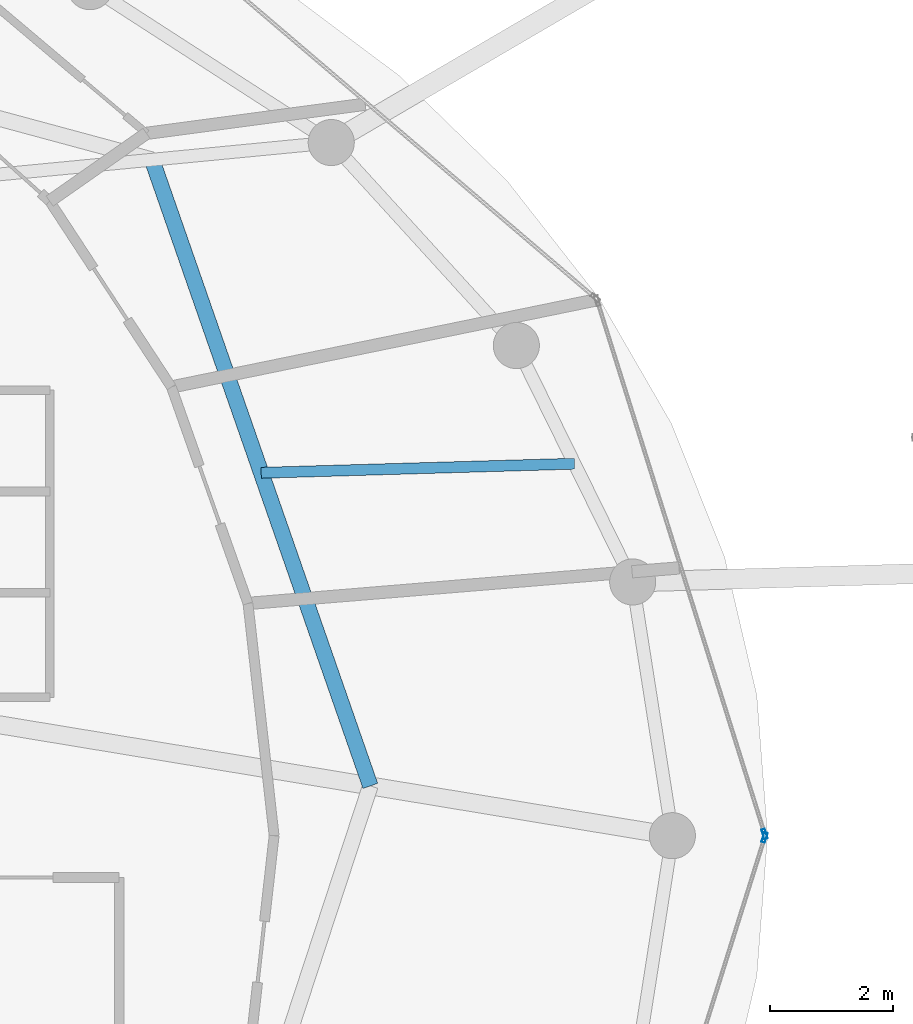
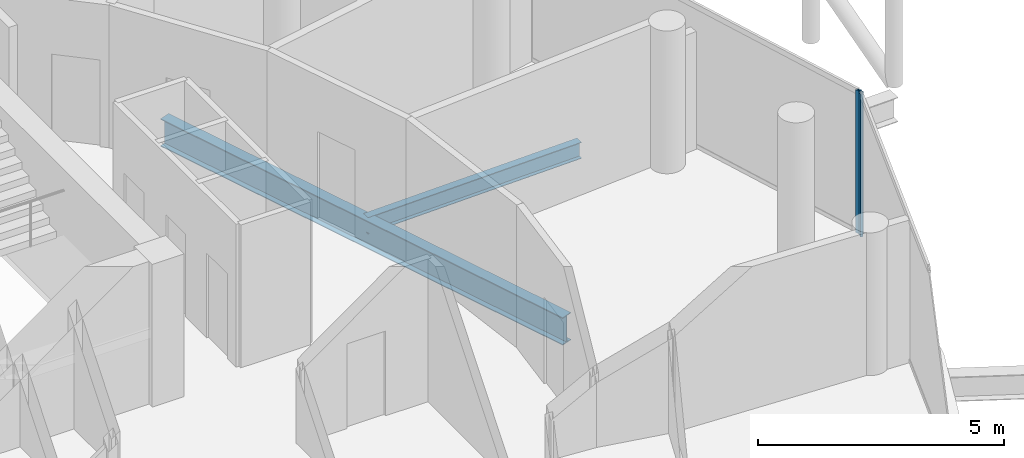
# One storey, part 12 of 24: 2 beams, 2 members, 2 elements without a shape of their own.
"""IFC4 building model written with IfcOpenShell, lengths in metres."""

from ifc_helpers import new_model, si_unit, direction, frame, origin, origin_2d, place, context, subcontext, project, spatial, hollow_rectangle, i_section, extrude, material, layer, layer_set, material_profile, profile_set, type_object, element, aggregate, save


model = new_model("IFC4")

# Units and contexts
model_context = context("Model", 3, precision=1e-05, world=origin(), true_north=direction((0.0, 1.0)))
body_context = subcontext(model_context, "Body", "Model", "MODEL_VIEW")
ifc_project = project(units=[si_unit("LENGTHUNIT", "METRE"), si_unit("AREAUNIT", "SQUARE_METRE"), si_unit("VOLUMEUNIT", "CUBIC_METRE"), si_unit("PLANEANGLEUNIT", "RADIAN"), si_unit("MASSUNIT", "GRAM", prefix="KILO")], contexts=[model_context])

# Site, building, storey
site_placement = place(None, origin())
site = spatial("IfcSite", under=ifc_project, at=site_placement, CompositionType="ELEMENT")
building_placement = place(site_placement, origin())
building = spatial("IfcBuilding", under=site, at=building_placement, Name="Nuhasar Tower", CompositionType="ELEMENT")
storey_placement = place(building_placement, frame((0.0, 0.0, 263.199951171875)))
storey = spatial("IfcBuildingStorey", under=building, at=storey_placement, Name="L65", CompositionType="ELEMENT", Elevation=263.199951171875)

# Beams
ifc_material_1 = material(Name="Steel S355", Category="steel")
ifc_material_profile_1 = material_profile(ifc_material_1, i_section(OverallWidth=0.25390625, OverallDepth=0.68408203125, WebThickness=0.012451171875, FlangeThickness=0.018798828125, at=origin_2d()), Name="W27X94")
ifc_profile_set_1 = profile_set([ifc_material_profile_1], Name="Steel S355")
beam_type_1 = type_object("IfcBeamType", Name="BM-INRING-W27X94", PredefinedType="BEAM", material=ifc_profile_set_1)
beam_1_placement = place(storey_placement, frame((53.035888671875, 27.610107421875, -0.60205078125), z_axis=(-0.329211236979, 0.944256300718, 0.0), x_axis=(-0.944256300718, -0.329211236979, 0.0)))
element("IfcBeam", 1, at=beam_1_placement, inside=storey, type_object=beam_type_1, Name="L65 Inner Header Beam 04", PredefinedType="BEAM", context=body_context, shape_type="SweptSolid", body=[
    extrude(i_section(OverallWidth=0.25390625, OverallDepth=0.68408203125, WebThickness=0.012451171875, FlangeThickness=0.018798828125, at=origin_2d()), origin(), (0.0, 0.0, 1.0), 10.78955078125),
])
ifc_material_profile_2 = material_profile(ifc_material_1, i_section(OverallWidth=0.177978515625, OverallDepth=0.406005859375, WebThickness=0.0078125, FlangeThickness=0.0126953125, at=origin_2d()), Name="W16X40")
ifc_profile_set_2 = profile_set([ifc_material_profile_2], Name="Steel S355")
beam_type_2 = type_object("IfcBeamType", Name="BM-JST-W16X40", PredefinedType="JOIST", material=ifc_profile_set_2)
beam_2_placement = place(storey_placement, frame((51.260009765625, 32.7041015625, -0.462890625), z_axis=(0.999579139243, 0.02900938453, 0.0), x_axis=(-0.02900938453, 0.999579139243, 0.0)))
element("IfcBeam", 2, at=beam_2_placement, inside=storey, type_object=beam_type_2, Name="L65 Secondary Floor Joist 04", PredefinedType="JOIST", context=body_context, shape_type="SweptSolid", body=[
    extrude(i_section(OverallWidth=0.177978515625, OverallDepth=0.406005859375, WebThickness=0.0078125, FlangeThickness=0.0126953125, at=origin_2d()), origin(), (0.0, 0.0, 1.0), 5.10009765625),
])

# Curtain wall, member
ifc_material_2 = material(Name="Aluminium 6063-T6", Category="aluminium")
ifc_layer = layer(ifc_material_2, 0.18994140625)
ifc_layer_set = layer_set([ifc_layer], Name="Aluminium 6063-T6")
curtain_wall_type = type_object("IfcCurtainWallType", Name="CW-Z4-PEN", PredefinedType="NOTDEFINED", material=ifc_layer_set)
curtain_wall_1_placement = place(storey_placement, origin())
curtain_wall_1 = element("IfcCurtainWall", 3, at=curtain_wall_1_placement, inside=storey, type_object=curtain_wall_type, Name="L65 Unitised Curtain Wall 01", PredefinedType="NOTDEFINED")
ifc_material_profile_3 = material_profile(ifc_material_2, hollow_rectangle(XDim=0.06005859375, YDim=0.1650390625, WallThickness=0.0048828125, at=origin_2d()), Name="CWM-5")
ifc_profile_set_3 = profile_set([ifc_material_profile_3], Name="Aluminium 6063-T6")
member_type = type_object("IfcMemberType", Name="CW-MUL-S5", PredefinedType="MULLION", material=ifc_profile_set_3)
member_1_placement = place(storey_placement, frame((59.450927734375, 26.82861328125, 0.0), z_axis=(0.0, 0.0, 1.0), x_axis=(-0.954078526601, -0.299556614146, 0.0)))
member_1 = element("IfcMember", 4, at=member_1_placement, type_object=member_type, Name="CW-Z4 mullion 1", PredefinedType="MULLION", context=body_context, shape_type="SweptSolid", body=[
    extrude(hollow_rectangle(XDim=0.06005859375, YDim=0.1650390625, WallThickness=0.0048828125, at=origin_2d()), origin(), (0.0, 0.0, 1.0), 3.5400390625),
])
aggregate(curtain_wall_1, [member_1])

curtain_wall_2_placement = place(storey_placement, origin())
curtain_wall_2 = element("IfcCurtainWall", 5, at=curtain_wall_2_placement, inside=storey, type_object=curtain_wall_type, Name="L65 Unitised Curtain Wall 12", PredefinedType="NOTDEFINED")
member_2_placement = place(storey_placement, frame((59.450927734375, 26.771484375, 0.0), z_axis=(0.0, 0.0, 1.0), x_axis=(-0.954078526601, 0.299556614146, 0.0)))
member_2 = element("IfcMember", 6, at=member_2_placement, type_object=member_type, Name="CW-Z4 mullion 2", PredefinedType="MULLION", context=body_context, shape_type="SweptSolid", body=[
    extrude(hollow_rectangle(XDim=0.06005859375, YDim=0.1650390625, WallThickness=0.0048828125, at=origin_2d()), origin(), (0.0, 0.0, 1.0), 3.5400390625),
])
aggregate(curtain_wall_2, [member_2])

save(model, "model.ifc")
